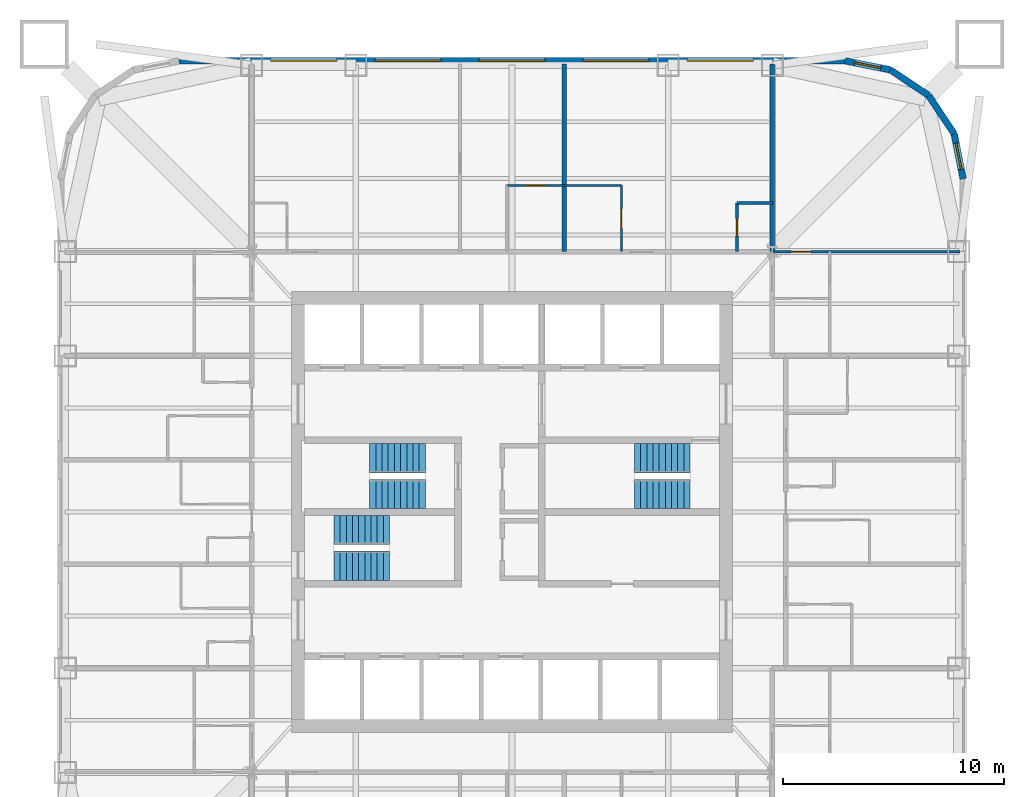
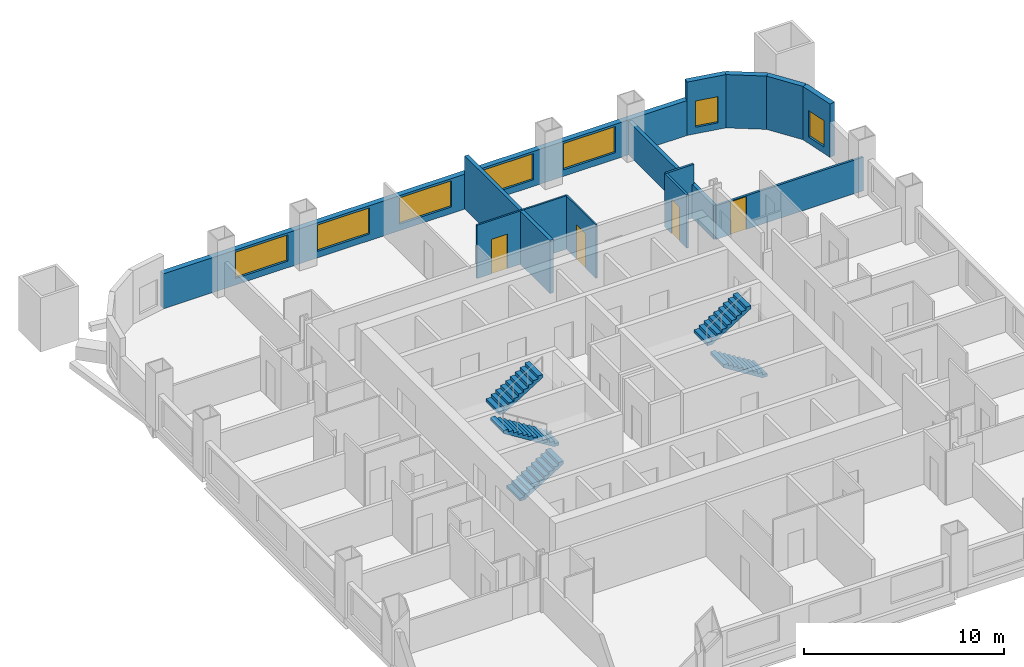
# One storey, part 7 of 8: 12 walls, 7 windows, 6 stair flights, 4 doors, 11 openings, 3 elements without a shape of their own.
"""IFC4 building model written with IfcOpenShell, lengths in metres."""

from ifc_helpers import new_model, si_unit, direction, frame, frame_2d, origin, place, context, subcontext, project, spatial, polyline, rectangle, outline, extrude, material, layer, layer_set, type_object, element, fill, aggregate, save


model = new_model("IFC4")

# Units and contexts
model_context = context("Model", 3, precision=1e-05, world=origin(), true_north=direction((0.0, 1.0)))
body_context = subcontext(model_context, "Body", "Model", "MODEL_VIEW")
ifc_project = project(units=[si_unit("LENGTHUNIT", "METRE"), si_unit("AREAUNIT", "SQUARE_METRE"), si_unit("VOLUMEUNIT", "CUBIC_METRE"), si_unit("PLANEANGLEUNIT", "RADIAN"), si_unit("MASSUNIT", "GRAM", prefix="KILO")], contexts=[model_context])

# Site, building, storey
site_placement = place(None, origin())
site = spatial("IfcSite", under=ifc_project, at=site_placement, CompositionType="ELEMENT")
building_placement = place(site_placement, origin())
building = spatial("IfcBuilding", under=site, at=building_placement, Name="Turquesa Mirador Hotel Tower", CompositionType="ELEMENT")
storey_placement = place(building_placement, frame((0.0, 0.0, 152.89990234375)))
storey = spatial("IfcBuildingStorey", under=building, at=storey_placement, Name="L41", CompositionType="ELEMENT", Elevation=152.89990234375)

# Wall, opening, door
ifc_material_1 = material(Name="Gypsum board on steel studs", Category="steel")
ifc_layer_1 = layer(ifc_material_1, 0.10009765625)
ifc_layer_set_1 = layer_set([ifc_layer_1], Name="BATHROOM WALL 100")
wall_type_1 = type_object("IfcWallType", Name="BATHROOM WALL 100", PredefinedType="PARTITIONING", material=ifc_layer_set_1)
wall_1_placement = place(storey_placement, frame((54.760009765625, 59.800048828125, 0.0), z_axis=(0.0, 0.0, 1.0), x_axis=(1.0, 0.0, 0.0)))
wall_1 = element("IfcWall", 1, at=wall_1_placement, inside=storey, type_object=wall_type_1, Name="Partition L41 026", PredefinedType="PARTITIONING", context=body_context, shape_type="SweptSolid", body=[
    extrude(rectangle(XDim=5.199951171875, YDim=0.10009765625, at=frame_2d((2.60009765625, 0.0))), origin(), (0.0, 0.0, 1.0), 3.25),
])
opening_1_placement = place(wall_1_placement, frame((0.85009765625, 0.0, 0.0)))
opening_1 = element("IfcOpeningElement", 2, at=opening_1_placement, cuts=wall_1, Name="Opening D02", PredefinedType="OPENING", context=body_context, shape_type="SweptSolid", body=[
    extrude(rectangle(XDim=0.89990234375, YDim=2.10009765625, at=frame_2d((0.449951171875, 1.050048828125))), frame((0.0, 0.06005859375, 0.0), z_axis=(0.0, -1.0, 0.0), x_axis=(1.0, 0.0, 0.0)), (0.0, 0.0, 1.0), 0.1201171875),
])
ifc_material_2 = material(Name="Timber veneered door", Category="wood")
door_type_1 = type_object("IfcDoorType", Name="DOOR 900X2100 EN-SUITE", OperationType="SINGLE_SWING_RIGHT", PredefinedType="DOOR", material=ifc_material_2)
door_1_placement = place(opening_1_placement, origin())
door_1 = element("IfcDoor", 3, at=door_1_placement, inside=storey, type_object=door_type_1, Name="Door 4101B", OperationType="SINGLE_SWING_RIGHT", OverallHeight=2.10009765625, OverallWidth=0.89990234375, PredefinedType="DOOR", context=body_context, shape_type="SweptSolid", body=[
    extrude(rectangle(XDim=0.89990234375, YDim=2.10009765625, at=frame_2d((0.449951171875, 1.050048828125))), frame((0.0, 0.02490234375, 0.0), z_axis=(0.0, -1.0, 0.0), x_axis=(1.0, 0.0, 0.0)), (0.0, 0.0, 1.0), 0.050048828125),
])
fill(opening_1, door_1)

wall_2_placement = place(storey_placement, frame((59.9599609375, 56.800048828125, 0.0), z_axis=(0.0, 0.0, 1.0), x_axis=(0.0, 1.0, 0.0)))
wall_2 = element("IfcWall", 4, at=wall_2_placement, inside=storey, type_object=wall_type_1, Name="Partition L41 074", PredefinedType="PARTITIONING", context=body_context, shape_type="SweptSolid", body=[
    extrude(rectangle(XDim=3.0, YDim=0.10009765625, at=frame_2d((1.5, 0.0))), origin(), (0.0, 0.0, 1.0), 3.25),
])
opening_2_placement = place(wall_2_placement, frame((1.050048828125, 0.0, 0.0)))
opening_2 = element("IfcOpeningElement", 5, at=opening_2_placement, cuts=wall_2, Name="Opening D02", PredefinedType="OPENING", context=body_context, shape_type="SweptSolid", body=[
    extrude(rectangle(XDim=0.89990234375, YDim=2.10009765625, at=frame_2d((0.449951171875, 1.050048828125))), frame((0.0, 0.06005859375, 0.0), z_axis=(0.0, -1.0, 0.0), x_axis=(1.0, 0.0, 0.0)), (0.0, 0.0, 1.0), 0.1201171875),
])
door_2_placement = place(opening_2_placement, origin())
door_2 = element("IfcDoor", 6, at=door_2_placement, inside=storey, type_object=door_type_1, Name="Door 4102B", OperationType="SINGLE_SWING_RIGHT", OverallHeight=2.10009765625, OverallWidth=0.89990234375, PredefinedType="DOOR", context=body_context, shape_type="SweptSolid", body=[
    extrude(rectangle(XDim=0.89990234375, YDim=2.10009765625, at=frame_2d((0.449951171875, 1.050048828125))), frame((0.0, 0.02490234375, 0.0), z_axis=(0.0, -1.0, 0.0), x_axis=(1.0, 0.0, 0.0)), (0.0, 0.0, 1.0), 0.050048828125),
])
fill(opening_2, door_2)

# Wall, opening, window
ifc_material_3 = material(Name="Limestone cladding on concrete block", Category="masonry")
ifc_layer_2 = layer(ifc_material_3, 0.300048828125)
ifc_layer_set_2 = layer_set([ifc_layer_2], Name="FACADE WALL 300 STONE SCREEN")
wall_type_2 = type_object("IfcWallType", Name="FACADE WALL 300 STONE SCREEN", PredefinedType="SOLIDWALL", material=ifc_layer_set_2)
wall_3_placement = place(storey_placement, frame((75.449951171875, 60.10009765625, 0.0), z_axis=(0.0, 0.0, 1.0), x_axis=(-0.195081421501, 0.980787050784, 0.0)))
wall_3 = element("IfcWall", 7, at=wall_3_placement, inside=storey, type_object=wall_type_2, Name="Facade wall L41 05", PredefinedType="SOLIDWALL", context=body_context, shape_type="SweptSolid", body=[
    extrude(rectangle(XDim=2.08740234375, YDim=0.300048828125, at=frame_2d((1.043701171875, 0.0))), origin(), (0.0, 0.0, 1.0), 3.25),
])
opening_3_placement = place(wall_3_placement, frame((0.443603515625, 0.0, 0.39990234375)))
opening_3 = element("IfcOpeningElement", 8, at=opening_3_placement, cuts=wall_3, Name="Opening WN8", PredefinedType="OPENING", context=body_context, shape_type="SweptSolid", body=[
    extrude(rectangle(XDim=1.199951171875, YDim=1.60009765625, at=frame_2d((0.60009765625, 0.800048828125))), frame((0.0, 0.159912109375, 0.0), z_axis=(0.0, -1.0, 0.0), x_axis=(1.0, 0.0, 0.0)), (0.0, 0.0, 1.0), 0.320068359375),
])
ifc_material_4 = material(Name="Ceramic-fritted laminated glass", Category="glass")
window_type_1 = type_object("IfcWindowType", Name="FRITTED CORNER WINDOW 1200X1600", PartitioningType="DOUBLE_PANEL_HORIZONTAL", PredefinedType="WINDOW", material=ifc_material_4)
window_1_placement = place(opening_3_placement, origin())
window_1 = element("IfcWindow", 9, at=window_1_placement, inside=storey, type_object=window_type_1, Name="Window L41", OverallHeight=1.60009765625, OverallWidth=1.199951171875, PartitioningType="SINGLE_PANEL", PredefinedType="WINDOW", context=body_context, shape_type="SweptSolid", body=[
    extrude(rectangle(XDim=1.199951171875, YDim=1.60009765625, at=frame_2d((0.60009765625, 0.800048828125))), frame((0.0, 0.030029296875, 0.0), z_axis=(0.0, -1.0, 0.0), x_axis=(1.0, 0.0, 0.0)), (0.0, 0.0, 1.0), 0.06005859375),
])
fill(opening_3, window_1)

# Walls
for number, where, z_axis, x_axis, name in (
    (10, (75.042724609375, 62.1474609375, 0.0), (0.0, 0.0, 1.0), (-0.555563607591, 0.831474039234, 0.0), "Facade wall L41 06"),
    (11, (73.883056640625, 63.883056640625, 0.0), (0.0, 0.0, 1.0), (-0.831474039234, 0.555563607591, 0.0), "Facade wall L41 07"),
):
    element("IfcWall", number, at=place(storey_placement, frame(where, z_axis=z_axis, x_axis=x_axis)), inside=storey, type_object=wall_type_2, Name=name, PredefinedType="SOLIDWALL", context=body_context, shape_type="SweptSolid", body=[
        extrude(rectangle(XDim=2.08740234375, YDim=0.300048828125, at=frame_2d((1.043701171875, 0.0))), origin(), (0.0, 0.0, 1.0), 3.25),
    ])

# Wall, opening, window
wall_4_placement = place(storey_placement, frame((72.1474609375, 65.042724609375, 0.0), z_axis=(0.0, 0.0, 1.0), x_axis=(-0.980787050784, 0.195081421501, 0.0)))
wall_4 = element("IfcWall", 12, at=wall_4_placement, inside=storey, type_object=wall_type_2, Name="Facade wall L41 08", PredefinedType="SOLIDWALL", context=body_context, shape_type="SweptSolid", body=[
    extrude(rectangle(XDim=2.08740234375, YDim=0.300048828125, at=frame_2d((1.043701171875, 0.0))), origin(), (0.0, 0.0, 1.0), 3.25),
])
opening_4_placement = place(wall_4_placement, frame((0.443603515625, 0.0, 0.39990234375)))
opening_4 = element("IfcOpeningElement", 13, at=opening_4_placement, cuts=wall_4, Name="Opening WN8", PredefinedType="OPENING", context=body_context, shape_type="SweptSolid", body=[
    extrude(rectangle(XDim=1.199951171875, YDim=1.60009765625, at=frame_2d((0.60009765625, 0.800048828125))), frame((0.0, 0.159912109375, 0.0), z_axis=(0.0, -1.0, 0.0), x_axis=(1.0, 0.0, 0.0)), (0.0, 0.0, 1.0), 0.320068359375),
])
window_2_placement = place(opening_4_placement, origin())
window_2 = element("IfcWindow", 14, at=window_2_placement, inside=storey, type_object=window_type_1, Name="Window L41", OverallHeight=1.60009765625, OverallWidth=1.199951171875, PartitioningType="SINGLE_PANEL", PredefinedType="WINDOW", context=body_context, shape_type="SweptSolid", body=[
    extrude(rectangle(XDim=1.199951171875, YDim=1.60009765625, at=frame_2d((0.60009765625, 0.800048828125))), frame((0.0, 0.030029296875, 0.0), z_axis=(0.0, -1.0, 0.0), x_axis=(1.0, 0.0, 0.0)), (0.0, 0.0, 1.0), 0.06005859375),
])
fill(opening_4, window_2)

# Wall, openings, windows
wall_5_placement = place(storey_placement, frame((70.10009765625, 65.449951171875, 0.0), z_axis=(0.0, 0.0, 1.0), x_axis=(-1.0, 0.0, 0.0)))
wall_5 = element("IfcWall", 15, at=wall_5_placement, inside=storey, type_object=wall_type_2, Name="Facade wall L41 09", PredefinedType="SOLIDWALL", context=body_context, shape_type="SweptSolid", body=[
    extrude(rectangle(XDim=30.2001953125, YDim=0.300048828125, at=frame_2d((15.10009765625, 0.0))), origin(), (0.0, 0.0, 1.0), 2.132568359375),
])
opening_5_placement = place(wall_5_placement, frame((4.159912109375, 0.0, 0.39990234375)))
opening_5 = element("IfcOpeningElement", 16, at=opening_5_placement, cuts=wall_5, Name="Opening WN7", PredefinedType="OPENING", context=body_context, shape_type="SweptSolid", body=[
    extrude(rectangle(XDim=3.0, YDim=1.60009765625, at=frame_2d((1.5, 0.800048828125))), frame((0.0, 0.159912109375, 0.0), z_axis=(0.0, -1.0, 0.0), x_axis=(1.0, 0.0, 0.0)), (0.0, 0.0, 1.0), 0.320068359375),
])
opening_6_placement = place(wall_5_placement, frame((8.8798828125, 0.0, 0.39990234375)))
opening_6 = element("IfcOpeningElement", 17, at=opening_6_placement, cuts=wall_5, Name="Opening WN7", PredefinedType="OPENING", context=body_context, shape_type="SweptSolid", body=[
    extrude(rectangle(XDim=3.0, YDim=1.60009765625, at=frame_2d((1.5, 0.800048828125))), frame((0.0, 0.159912109375, 0.0), z_axis=(0.0, -1.0, 0.0), x_axis=(1.0, 0.0, 0.0)), (0.0, 0.0, 1.0), 0.320068359375),
])
opening_7_placement = place(wall_5_placement, frame((13.60009765625, 0.0, 0.39990234375)))
opening_7 = element("IfcOpeningElement", 18, at=opening_7_placement, cuts=wall_5, Name="Opening WN7", PredefinedType="OPENING", context=body_context, shape_type="SweptSolid", body=[
    extrude(rectangle(XDim=3.0, YDim=1.60009765625, at=frame_2d((1.5, 0.800048828125))), frame((0.0, 0.159912109375, 0.0), z_axis=(0.0, -1.0, 0.0), x_axis=(1.0, 0.0, 0.0)), (0.0, 0.0, 1.0), 0.320068359375),
])
opening_8_placement = place(wall_5_placement, frame((18.320068359375, 0.0, 0.39990234375)))
opening_8 = element("IfcOpeningElement", 19, at=opening_8_placement, cuts=wall_5, Name="Opening WN7", PredefinedType="OPENING", context=body_context, shape_type="SweptSolid", body=[
    extrude(rectangle(XDim=3.0, YDim=1.60009765625, at=frame_2d((1.5, 0.800048828125))), frame((0.0, 0.159912109375, 0.0), z_axis=(0.0, -1.0, 0.0), x_axis=(1.0, 0.0, 0.0)), (0.0, 0.0, 1.0), 0.320068359375),
])
opening_9_placement = place(wall_5_placement, frame((23.0400390625, 0.0, 0.39990234375)))
opening_9 = element("IfcOpeningElement", 20, at=opening_9_placement, cuts=wall_5, Name="Opening WN7", PredefinedType="OPENING", context=body_context, shape_type="SweptSolid", body=[
    extrude(rectangle(XDim=3.0, YDim=1.60009765625, at=frame_2d((1.5, 0.800048828125))), frame((0.0, 0.159912109375, 0.0), z_axis=(0.0, -1.0, 0.0), x_axis=(1.0, 0.0, 0.0)), (0.0, 0.0, 1.0), 0.320068359375),
])
ifc_material_5 = material(Name="Ceramic-fritted laminated glass", Category="glass")
window_type_2 = type_object("IfcWindowType", Name="FRITTED WINDOW 3000X1600", PartitioningType="DOUBLE_PANEL_HORIZONTAL", PredefinedType="WINDOW", material=ifc_material_5)
window_3_placement = place(opening_5_placement, origin())
window_3 = element("IfcWindow", 21, at=window_3_placement, inside=storey, type_object=window_type_2, Name="Window L41", OverallHeight=1.60009765625, OverallWidth=3.0, PartitioningType="SINGLE_PANEL", PredefinedType="WINDOW", context=body_context, shape_type="SweptSolid", body=[
    extrude(rectangle(XDim=3.0, YDim=1.60009765625, at=frame_2d((1.5, 0.800048828125))), frame((0.0, 0.030029296875, 0.0), z_axis=(0.0, -1.0, 0.0), x_axis=(1.0, 0.0, 0.0)), (0.0, 0.0, 1.0), 0.06005859375),
])
fill(opening_5, window_3)
window_4_placement = place(opening_6_placement, origin())
window_4 = element("IfcWindow", 22, at=window_4_placement, inside=storey, type_object=window_type_2, Name="Window L41", OverallHeight=1.60009765625, OverallWidth=3.0, PartitioningType="SINGLE_PANEL", PredefinedType="WINDOW", context=body_context, shape_type="SweptSolid", body=[
    extrude(rectangle(XDim=3.0, YDim=1.60009765625, at=frame_2d((1.5, 0.800048828125))), frame((0.0, 0.030029296875, 0.0), z_axis=(0.0, -1.0, 0.0), x_axis=(1.0, 0.0, 0.0)), (0.0, 0.0, 1.0), 0.06005859375),
])
fill(opening_6, window_4)
window_5_placement = place(opening_7_placement, origin())
window_5 = element("IfcWindow", 23, at=window_5_placement, inside=storey, type_object=window_type_2, Name="Window L41", OverallHeight=1.60009765625, OverallWidth=3.0, PartitioningType="SINGLE_PANEL", PredefinedType="WINDOW", context=body_context, shape_type="SweptSolid", body=[
    extrude(rectangle(XDim=3.0, YDim=1.60009765625, at=frame_2d((1.5, 0.800048828125))), frame((0.0, 0.030029296875, 0.0), z_axis=(0.0, -1.0, 0.0), x_axis=(1.0, 0.0, 0.0)), (0.0, 0.0, 1.0), 0.06005859375),
])
fill(opening_7, window_5)
window_6_placement = place(opening_8_placement, origin())
window_6 = element("IfcWindow", 24, at=window_6_placement, inside=storey, type_object=window_type_2, Name="Window L41", OverallHeight=1.60009765625, OverallWidth=3.0, PartitioningType="SINGLE_PANEL", PredefinedType="WINDOW", context=body_context, shape_type="SweptSolid", body=[
    extrude(rectangle(XDim=3.0, YDim=1.60009765625, at=frame_2d((1.5, 0.800048828125))), frame((0.0, 0.030029296875, 0.0), z_axis=(0.0, -1.0, 0.0), x_axis=(1.0, 0.0, 0.0)), (0.0, 0.0, 1.0), 0.06005859375),
])
fill(opening_8, window_6)
window_7_placement = place(opening_9_placement, origin())
window_7 = element("IfcWindow", 25, at=window_7_placement, inside=storey, type_object=window_type_2, Name="Window L41", OverallHeight=1.60009765625, OverallWidth=3.0, PartitioningType="SINGLE_PANEL", PredefinedType="WINDOW", context=body_context, shape_type="SweptSolid", body=[
    extrude(rectangle(XDim=3.0, YDim=1.60009765625, at=frame_2d((1.5, 0.800048828125))), frame((0.0, 0.030029296875, 0.0), z_axis=(0.0, -1.0, 0.0), x_axis=(1.0, 0.0, 0.0)), (0.0, 0.0, 1.0), 0.06005859375),
])
fill(opening_9, window_7)

# Walls
ifc_material_6 = material(Name="Fire-rated gypsum board on steel studs", Category="steel")
ifc_layer_3 = layer(ifc_material_6, 0.199951171875)
ifc_layer_set_3 = layer_set([ifc_layer_3], Name="PARTY WALL 200")
wall_type_3 = type_object("IfcWallType", Name="PARTY WALL 200", PredefinedType="PARTITIONING", material=ifc_layer_set_3)
wall_6_placement = place(storey_placement, frame((66.800048828125, 56.800048828125, 0.0), z_axis=(0.0, 0.0, 1.0), x_axis=(0.0, 1.0, 0.0)))
element("IfcWall", 26, at=wall_6_placement, inside=storey, type_object=wall_type_3, Name="Partition L41 061", PredefinedType="PARTITIONING", context=body_context, shape_type="SweptSolid", body=[
    extrude(rectangle(XDim=8.5, YDim=0.199951171875, at=frame_2d((4.25, 0.0))), origin(), (0.0, 0.0, 1.0), 2.050048828125),
])
wall_7_placement = place(storey_placement, frame((57.360107421875, 56.800048828125, 0.0), z_axis=(0.0, 0.0, 1.0), x_axis=(0.0, 1.0, 0.0)))
element("IfcWall", 27, at=wall_7_placement, inside=storey, type_object=wall_type_3, Name="Partition L41 072", PredefinedType="PARTITIONING", context=body_context, shape_type="SweptSolid", body=[
    extrude(rectangle(XDim=8.5, YDim=0.199951171875, at=frame_2d((4.25, 0.0))), origin(), (0.0, 0.0, 1.0), 3.25),
])

# Wall, opening, door
ifc_material_7 = material(Name="Acoustic gypsum board on steel studs", Category="steel")
ifc_layer_4 = layer(ifc_material_7, 0.125)
ifc_layer_set_4 = layer_set([ifc_layer_4], Name="SUITE PARTITION 125")
wall_type_4 = type_object("IfcWallType", Name="SUITE PARTITION 125", PredefinedType="PARTITIONING", material=ifc_layer_set_4)
wall_8_placement = place(storey_placement, frame((66.800048828125, 56.800048828125, 0.0), z_axis=(0.0, 0.0, 1.0), x_axis=(1.0, 0.0, 0.0)))
wall_8 = element("IfcWall", 28, at=wall_8_placement, inside=storey, type_object=wall_type_4, Name="Partition L41 023", PredefinedType="PARTITIONING", context=body_context, shape_type="SweptSolid", body=[
    extrude(rectangle(XDim=8.5, YDim=0.125, at=frame_2d((4.25, 0.0))), origin(), (0.0, 0.0, 1.0), 2.050048828125),
])
opening_10_placement = place(wall_8_placement, frame((0.85009765625, 0.0, 0.0)))
opening_10 = element("IfcOpeningElement", 29, at=opening_10_placement, cuts=wall_8, Name="Opening D24", PredefinedType="OPENING", context=body_context, shape_type="SweptSolid", body=[
    extrude(rectangle(XDim=0.89990234375, YDim=2.0, at=frame_2d((0.449951171875, 1.0))), frame((0.0, 0.072509765625, 0.0), z_axis=(0.0, -1.0, 0.0), x_axis=(1.0, 0.0, 0.0)), (0.0, 0.0, 1.0), 0.14501953125),
])
ifc_material_8 = material(Name="Timber veneered door", Category="wood")
door_type_2 = type_object("IfcDoorType", Name="DOOR 900X2000 SUITE INTERNAL", OperationType="SINGLE_SWING_LEFT", PredefinedType="DOOR", material=ifc_material_8)
door_3_placement = place(opening_10_placement, origin())
door_3 = element("IfcDoor", 30, at=door_3_placement, inside=storey, type_object=door_type_2, Name="Door 4111", OperationType="SINGLE_SWING_LEFT", OverallHeight=2.0, OverallWidth=0.89990234375, PredefinedType="DOOR", context=body_context, shape_type="SweptSolid", body=[
    extrude(rectangle(XDim=0.89990234375, YDim=2.0, at=frame_2d((0.449951171875, 1.0))), frame((0.0, 0.02490234375, 0.0), z_axis=(0.0, -1.0, 0.0), x_axis=(1.0, 0.0, 0.0)), (0.0, 0.0, 1.0), 0.050048828125),
])
fill(opening_10, door_3)

# Wall
wall_9_placement = place(storey_placement, frame((65.199951171875, 59.0, 0.0), z_axis=(0.0, 0.0, 1.0), x_axis=(1.0, 0.0, 0.0)))
element("IfcWall", 31, at=wall_9_placement, inside=storey, type_object=wall_type_4, Name="Partition L41 025", PredefinedType="PARTITIONING", context=body_context, shape_type="SweptSolid", body=[
    extrude(rectangle(XDim=1.60009765625, YDim=0.125, at=frame_2d((0.800048828125, 0.0))), origin(), (0.0, 0.0, 1.0), 3.25),
])

# Wall, opening, door
wall_10_placement = place(storey_placement, frame((65.199951171875, 56.800048828125, 0.0), z_axis=(0.0, 0.0, 1.0), x_axis=(0.0, 1.0, 0.0)))
wall_10 = element("IfcWall", 32, at=wall_10_placement, inside=storey, type_object=wall_type_4, Name="Partition L41 057", PredefinedType="PARTITIONING", context=body_context, shape_type="SweptSolid", body=[
    extrude(rectangle(XDim=2.199951171875, YDim=0.125, at=frame_2d((1.10009765625, 0.0))), origin(), (0.0, 0.0, 1.0), 3.25),
])
opening_11_placement = place(wall_10_placement, frame((0.699951171875, 0.0, 0.0)))
opening_11 = element("IfcOpeningElement", 33, at=opening_11_placement, cuts=wall_10, Name="Opening D20", PredefinedType="OPENING", context=body_context, shape_type="SweptSolid", body=[
    extrude(rectangle(XDim=0.800048828125, YDim=2.10009765625, at=frame_2d((0.39990234375, 1.050048828125))), frame((0.0, 0.072509765625, 0.0), z_axis=(0.0, -1.0, 0.0), x_axis=(1.0, 0.0, 0.0)), (0.0, 0.0, 1.0), 0.14501953125),
])
ifc_material_9 = material(Name="Timber veneered sliding door", Category="wood")
door_type_3 = type_object("IfcDoorType", Name="DOOR 800X2100 WARDROBE", OperationType="SLIDING_TO_LEFT", PredefinedType="DOOR", material=ifc_material_9)
door_4_placement = place(opening_11_placement, origin())
door_4 = element("IfcDoor", 34, at=door_4_placement, inside=storey, type_object=door_type_3, Name="Door 4102W", OperationType="SLIDING_TO_LEFT", OverallHeight=2.10009765625, OverallWidth=0.800048828125, PredefinedType="DOOR", context=body_context, shape_type="SweptSolid", body=[
    extrude(rectangle(XDim=0.800048828125, YDim=2.10009765625, at=frame_2d((0.39990234375, 1.050048828125))), frame((0.0, 0.02490234375, 0.0), z_axis=(0.0, -1.0, 0.0), x_axis=(1.0, 0.0, 0.0)), (0.0, 0.0, 1.0), 0.050048828125),
])
fill(opening_11, door_4)

# Stair, stair flights
ifc_material_10 = material(Name="Concrete C35/45", Category="concrete")
stair_type = type_object("IfcStairType", Name="ESCAPE STAIR CORE", PredefinedType="HALF_TURN_STAIR", material=ifc_material_10)
stair_1_placement = place(storey_placement, origin())
stair_1 = element("IfcStair", 35, at=stair_1_placement, inside=storey, type_object=stair_type, Name="Stair ST1 L41 to L42", PredefinedType="HALF_TURN_STAIR")
ifc_material_11 = material(Name="Concrete C35/45 precast flight", Category="concrete")
stair_flight_type = type_object("IfcStairFlightType", Name="STAIR FLIGHT 1330", PredefinedType="STRAIGHT", material=ifc_material_11)
stair_flight_1_placement = place(storey_placement, frame((51.070068359375, 45.81494140625, 0.0), z_axis=(0.0, 0.0, 1.0), x_axis=(-1.0, 0.0, 0.0)))
stair_flight_1 = element("IfcStairFlight", 36, at=stair_flight_1_placement, type_object=stair_flight_type, Name="ST1 flight 1", NumberOfRisers=10, NumberOfTreads=9, PredefinedType="STRAIGHT", RiserHeight=0.175, TreadLength=0.28, context=body_context, shape_type="SweptSolid", body=[
    extrude(outline(polyline([(0.0, 0.0), (0.0, 0.175048828125), (0.280029296875, 0.175048828125), (0.280029296875, 0.35009765625), (0.56005859375, 0.35009765625), (0.56005859375, 0.52490234375), (0.840087890625, 0.52490234375), (0.840087890625, 0.699951171875), (1.1201171875, 0.699951171875), (1.1201171875, 0.875), (1.39990234375, 0.875), (1.39990234375, 1.050048828125), (1.679931640625, 1.050048828125), (1.679931640625, 1.22509765625), (1.9599609375, 1.22509765625), (1.9599609375, 1.39990234375), (2.239990234375, 1.39990234375), (2.239990234375, 1.574951171875), (2.52001953125, 1.574951171875), (2.52001953125, 1.75), (2.52001953125, 1.398193359375), (0.28271484375, 0.0), (0.0, 0.0)])), frame((0.0, 0.6650390625, 0.0), z_axis=(0.0, -1.0, 0.0), x_axis=(1.0, 0.0, 0.0)), (0.0, 0.0, 1.0), 1.330078125),
])
stair_flight_2_placement = place(storey_placement, frame((48.550048828125, 47.43505859375, 1.75), z_axis=(0.0, 0.0, 1.0), x_axis=(1.0, 0.0, 0.0)))
stair_flight_2 = element("IfcStairFlight", 37, at=stair_flight_2_placement, type_object=stair_flight_type, Name="ST1 flight 2", NumberOfRisers=10, NumberOfTreads=9, PredefinedType="STRAIGHT", RiserHeight=0.175, TreadLength=0.28, context=body_context, shape_type="SweptSolid", body=[
    extrude(outline(polyline([(0.0, 0.0), (0.0, 0.175048828125), (0.280029296875, 0.175048828125), (0.280029296875, 0.35009765625), (0.56005859375, 0.35009765625), (0.56005859375, 0.52490234375), (0.840087890625, 0.52490234375), (0.840087890625, 0.699951171875), (1.1201171875, 0.699951171875), (1.1201171875, 0.875), (1.39990234375, 0.875), (1.39990234375, 1.050048828125), (1.679931640625, 1.050048828125), (1.679931640625, 1.22509765625), (1.9599609375, 1.22509765625), (1.9599609375, 1.39990234375), (2.239990234375, 1.39990234375), (2.239990234375, 1.574951171875), (2.52001953125, 1.574951171875), (2.52001953125, 1.75), (2.52001953125, 1.398193359375), (0.28271484375, 0.0), (0.0, 0.0)])), frame((0.0, 0.6650390625, 0.0), z_axis=(0.0, -1.0, 0.0), x_axis=(1.0, 0.0, 0.0)), (0.0, 0.0, 1.0), 1.330078125),
])
aggregate(stair_1, [stair_flight_1, stair_flight_2])

stair_2_placement = place(storey_placement, origin())
stair_2 = element("IfcStair", 38, at=stair_2_placement, inside=storey, type_object=stair_type, Name="Stair ST2 L41 to L42", PredefinedType="HALF_TURN_STAIR")
stair_flight_3_placement = place(storey_placement, frame((46.929931640625, 42.56494140625, 0.0), z_axis=(0.0, 0.0, 1.0), x_axis=(1.0, 0.0, 0.0)))
stair_flight_3 = element("IfcStairFlight", 39, at=stair_flight_3_placement, type_object=stair_flight_type, Name="ST2 flight 1", NumberOfRisers=10, NumberOfTreads=9, PredefinedType="STRAIGHT", RiserHeight=0.175, TreadLength=0.28, context=body_context, shape_type="SweptSolid", body=[
    extrude(outline(polyline([(0.0, 0.0), (0.0, 0.175048828125), (0.280029296875, 0.175048828125), (0.280029296875, 0.35009765625), (0.56005859375, 0.35009765625), (0.56005859375, 0.52490234375), (0.840087890625, 0.52490234375), (0.840087890625, 0.699951171875), (1.1201171875, 0.699951171875), (1.1201171875, 0.875), (1.39990234375, 0.875), (1.39990234375, 1.050048828125), (1.679931640625, 1.050048828125), (1.679931640625, 1.22509765625), (1.9599609375, 1.22509765625), (1.9599609375, 1.39990234375), (2.239990234375, 1.39990234375), (2.239990234375, 1.574951171875), (2.52001953125, 1.574951171875), (2.52001953125, 1.75), (2.52001953125, 1.398193359375), (0.28271484375, 0.0), (0.0, 0.0)])), frame((0.0, 0.6650390625, 0.0), z_axis=(0.0, -1.0, 0.0), x_axis=(1.0, 0.0, 0.0)), (0.0, 0.0, 1.0), 1.330078125),
])
stair_flight_4_placement = place(storey_placement, frame((49.449951171875, 44.18505859375, 1.75), z_axis=(0.0, 0.0, 1.0), x_axis=(-1.0, 0.0, 0.0)))
stair_flight_4 = element("IfcStairFlight", 40, at=stair_flight_4_placement, type_object=stair_flight_type, Name="ST2 flight 2", NumberOfRisers=10, NumberOfTreads=9, PredefinedType="STRAIGHT", RiserHeight=0.175, TreadLength=0.28, context=body_context, shape_type="SweptSolid", body=[
    extrude(outline(polyline([(0.0, 0.0), (0.0, 0.175048828125), (0.280029296875, 0.175048828125), (0.280029296875, 0.35009765625), (0.56005859375, 0.35009765625), (0.56005859375, 0.52490234375), (0.840087890625, 0.52490234375), (0.840087890625, 0.699951171875), (1.1201171875, 0.699951171875), (1.1201171875, 0.875), (1.39990234375, 0.875), (1.39990234375, 1.050048828125), (1.679931640625, 1.050048828125), (1.679931640625, 1.22509765625), (1.9599609375, 1.22509765625), (1.9599609375, 1.39990234375), (2.239990234375, 1.39990234375), (2.239990234375, 1.574951171875), (2.52001953125, 1.574951171875), (2.52001953125, 1.75), (2.52001953125, 1.398193359375), (0.28271484375, 0.0), (0.0, 0.0)])), frame((0.0, 0.6650390625, 0.0), z_axis=(0.0, -1.0, 0.0), x_axis=(1.0, 0.0, 0.0)), (0.0, 0.0, 1.0), 1.330078125),
])
aggregate(stair_2, [stair_flight_3, stair_flight_4])

stair_3_placement = place(storey_placement, origin())
stair_3 = element("IfcStair", 41, at=stair_3_placement, inside=storey, type_object=stair_type, Name="Stair ST3 L41 to L42", PredefinedType="HALF_TURN_STAIR")
stair_flight_5_placement = place(storey_placement, frame((63.070068359375, 45.81494140625, 0.0), z_axis=(0.0, 0.0, 1.0), x_axis=(-1.0, 0.0, 0.0)))
stair_flight_5 = element("IfcStairFlight", 42, at=stair_flight_5_placement, type_object=stair_flight_type, Name="ST3 flight 1", NumberOfRisers=10, NumberOfTreads=9, PredefinedType="STRAIGHT", RiserHeight=0.175, TreadLength=0.28, context=body_context, shape_type="SweptSolid", body=[
    extrude(outline(polyline([(0.0, 0.0), (0.0, 0.175048828125), (0.280029296875, 0.175048828125), (0.280029296875, 0.35009765625), (0.56005859375, 0.35009765625), (0.56005859375, 0.52490234375), (0.840087890625, 0.52490234375), (0.840087890625, 0.699951171875), (1.1201171875, 0.699951171875), (1.1201171875, 0.875), (1.39990234375, 0.875), (1.39990234375, 1.050048828125), (1.679931640625, 1.050048828125), (1.679931640625, 1.22509765625), (1.9599609375, 1.22509765625), (1.9599609375, 1.39990234375), (2.239990234375, 1.39990234375), (2.239990234375, 1.574951171875), (2.52001953125, 1.574951171875), (2.52001953125, 1.75), (2.52001953125, 1.398193359375), (0.28271484375, 0.0), (0.0, 0.0)])), frame((0.0, 0.6650390625, 0.0), z_axis=(0.0, -1.0, 0.0), x_axis=(1.0, 0.0, 0.0)), (0.0, 0.0, 1.0), 1.330078125),
])
stair_flight_6_placement = place(storey_placement, frame((60.550048828125, 47.43505859375, 1.75), z_axis=(0.0, 0.0, 1.0), x_axis=(1.0, 0.0, 0.0)))
stair_flight_6 = element("IfcStairFlight", 43, at=stair_flight_6_placement, type_object=stair_flight_type, Name="ST3 flight 2", NumberOfRisers=10, NumberOfTreads=9, PredefinedType="STRAIGHT", RiserHeight=0.175, TreadLength=0.28, context=body_context, shape_type="SweptSolid", body=[
    extrude(outline(polyline([(0.0, 0.0), (0.0, 0.175048828125), (0.280029296875, 0.175048828125), (0.280029296875, 0.35009765625), (0.56005859375, 0.35009765625), (0.56005859375, 0.52490234375), (0.840087890625, 0.52490234375), (0.840087890625, 0.699951171875), (1.1201171875, 0.699951171875), (1.1201171875, 0.875), (1.39990234375, 0.875), (1.39990234375, 1.050048828125), (1.679931640625, 1.050048828125), (1.679931640625, 1.22509765625), (1.9599609375, 1.22509765625), (1.9599609375, 1.39990234375), (2.239990234375, 1.39990234375), (2.239990234375, 1.574951171875), (2.52001953125, 1.574951171875), (2.52001953125, 1.75), (2.52001953125, 1.398193359375), (0.28271484375, 0.0), (0.0, 0.0)])), frame((0.0, 0.6650390625, 0.0), z_axis=(0.0, -1.0, 0.0), x_axis=(1.0, 0.0, 0.0)), (0.0, 0.0, 1.0), 1.330078125),
])
aggregate(stair_3, [stair_flight_5, stair_flight_6])

save(model, "model.ifc")
